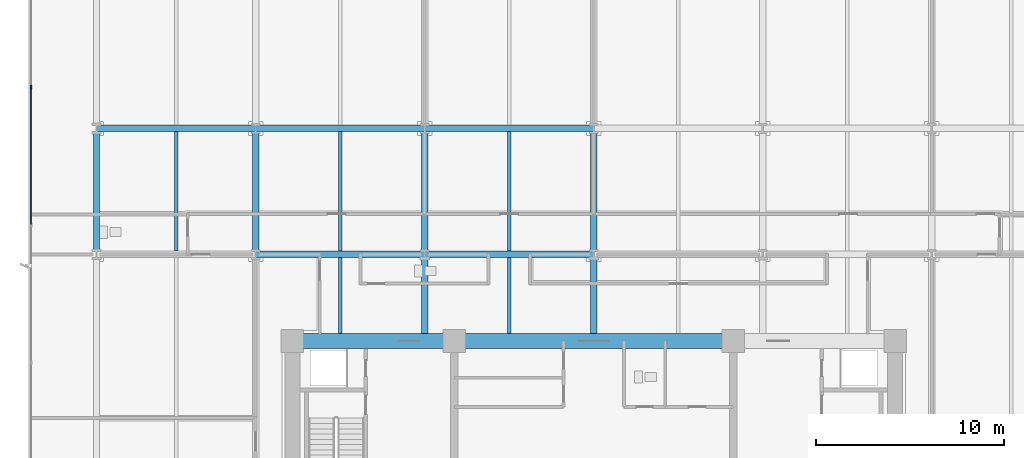
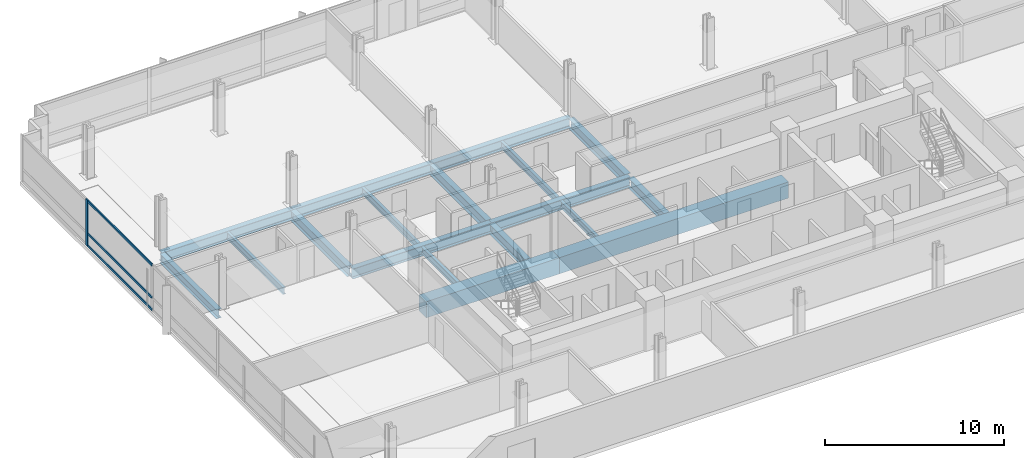
# One storey, part 3 of 14: 18 beams, 4 members, 1 element without a shape of its own.
"""IFC4 building model written with IfcOpenShell, lengths in metres."""

import ifcopenshell
import ifcopenshell.guid

model = None  # the IFC model being written
_history = None  # IfcOwnerHistory: only IFC2X3 demands one
_inside = {}  # id of a spatial element -> (the spatial element, [elements in it])
_under = {}  # id of a project, library or spatial element -> (it, [spatial elements below it])
_declared = {}  # id of a project -> (the project, [libraries it declares])
_typed = {}  # id of a type object -> (the type object, [elements of that type])
_made_of = {}  # id of a material, layer set ... -> (it, [elements and type objects made of it])


def new_model(schema):
    """Start an empty IFC model of exactly this schema.

    Asked for "IFC4X3", IfcOpenShell would pick the latest addendum, in which some entities
    have other attributes; the version numbers below select the first issue.
    IFC2X3 requires an IfcOwnerHistory on every rooted entity: one is made here for all.
    """
    global model, _history
    if schema == "IFC4X3":
        model = ifcopenshell.file(schema_version=(4, 3, 0, 0))
    else:
        model = ifcopenshell.file(schema=schema)
    _inside.clear()
    _under.clear()
    _declared.clear()
    _typed.clear()
    _made_of.clear()
    _history = None
    if model.schema == "IFC2X3":
        org = make("IfcOrganization", Name="unknown")
        user = make(
            "IfcPersonAndOrganization",
            ThePerson=make("IfcPerson", FamilyName="unknown"),
            TheOrganization=org,
        )
        app = make(
            "IfcApplication",
            ApplicationDeveloper=org,
            Version="unknown",
            ApplicationFullName="unknown",
            ApplicationIdentifier="unknown",
        )
        _history = make(
            "IfcOwnerHistory",
            OwningUser=user,
            OwningApplication=app,
            ChangeAction="ADDED",
            CreationDate=0,
        )
    return model


def make(cls, **values):
    """One entity of the class cls with the attributes given. An attribute that is None is left unset."""
    return model.create_entity(
        cls, **{name: value for name, value in values.items() if value is not None}
    )


def rooted(cls, **values):
    """An entity with a GlobalId (a new one), such as an element, a storey or a relation."""
    return make(cls, GlobalId=ifcopenshell.guid.new(), OwnerHistory=_history, **values)


def si_unit(unit_type, name, prefix=None):
    """IfcSIUnit, for example si_unit("LENGTHUNIT", "METRE", prefix="MILLI")."""
    return make("IfcSIUnit", UnitType=unit_type, Prefix=prefix, Name=name)


def assignment(units):
    """IfcUnitAssignment: the units of a project."""
    return None if units is None else make("IfcUnitAssignment", Units=units)


def point(xyz):
    """IfcCartesianPoint."""
    return None if xyz is None else make("IfcCartesianPoint", Coordinates=xyz)


def direction(xyz):
    """IfcDirection."""
    return None if xyz is None else make("IfcDirection", DirectionRatios=xyz)


def frame(location, z_axis=None, x_axis=None):
    """IfcAxis2Placement3D, a coordinate frame: its origin and axes. An axis left out is left unset."""
    return make(
        "IfcAxis2Placement3D",
        Location=point(location),
        Axis=direction(z_axis),
        RefDirection=direction(x_axis),
    )


def frame_2d(location, x_axis=None):
    """IfcAxis2Placement2D, a coordinate frame in the plane: its origin and x axis."""
    return make(
        "IfcAxis2Placement2D", Location=point(location), RefDirection=direction(x_axis)
    )


def origin():
    """The frame at (0, 0, 0) with its axes left unset."""
    return frame((0.0, 0.0, 0.0))


def origin_2d():
    """The frame at (0, 0) in the plane with its x axis left unset."""
    return frame_2d((0.0, 0.0))


def place(relative_to, where):
    """IfcLocalPlacement: puts the frame where relative to a parent placement (None: the world)."""
    return make(
        "IfcLocalPlacement", PlacementRelTo=relative_to, RelativePlacement=where
    )


def context(
    kind, dimensions, precision=None, world=None, true_north=None, identifier=None
):
    """IfcGeometricRepresentationContext, for example the 3D "Model" context."""
    return make(
        "IfcGeometricRepresentationContext",
        ContextIdentifier=identifier,
        ContextType=kind,
        CoordinateSpaceDimension=dimensions,
        Precision=precision,
        WorldCoordinateSystem=world,
        TrueNorth=true_north,
    )


def subcontext(parent, identifier, kind, view, scale=None):
    """IfcGeometricRepresentationSubContext, for example "Body" below "Model"."""
    return make(
        "IfcGeometricRepresentationSubContext",
        ContextIdentifier=identifier,
        ContextType=kind,
        ParentContext=parent,
        TargetScale=scale,
        TargetView=view,
    )


def project(units=None, contexts=None):
    """IfcProject with its units and contexts."""
    return rooted(
        "IfcProject",
        Name="project",
        RepresentationContexts=contexts,
        UnitsInContext=assignment(units),
    )


def spatial(cls, under=None, at=None, **own):
    """A site, building, storey or space (cls), placed at a placement, below another one or the project."""
    s = rooted(cls, ObjectPlacement=at, **own)
    if under is not None:
        _under.setdefault(under.id(), (under, []))[1].append(s)
    return s


def profile(cls, at=None, kind="AREA", **sizes):
    """A parametric profile (cls). Its sizes go by their IFC names, for example OverallWidth=200.0."""
    return make(cls, ProfileType=kind, Position=at, **sizes)


def rectangle(**sizes):
    """IfcRectangleProfileDef."""
    return profile("IfcRectangleProfileDef", **sizes)


def i_section(**sizes):
    """IfcIShapeProfileDef."""
    return profile("IfcIShapeProfileDef", **sizes)


def extrude(swept, where, along, depth):
    """IfcExtrudedAreaSolid: the profile swept, set in the frame where, extruded along a direction by depth."""
    return make(
        "IfcExtrudedAreaSolid",
        SweptArea=swept,
        Position=where,
        ExtrudedDirection=direction(along),
        Depth=depth,
    )


def shape(context_of_items, identifier, shape_type, items):
    """IfcShapeRepresentation: the items that make up one representation, for example the "Body"."""
    return make(
        "IfcShapeRepresentation",
        ContextOfItems=context_of_items,
        RepresentationIdentifier=identifier,
        RepresentationType=shape_type,
        Items=items,
    )


def material(Name=None, Category=None):
    """IfcMaterial."""
    return make("IfcMaterial", Name=Name, Category=Category)


def material_profile(
    of_material, cross_section, Name=None, Category=None, Priority=None
):
    """IfcMaterialProfile: a cross section and its material."""
    return make(
        "IfcMaterialProfile",
        Name=Name,
        Material=of_material,
        Profile=cross_section,
        Priority=Priority,
        Category=Category,
    )


def profile_set(profiles, Name=None, composite=None):
    """IfcMaterialProfileSet."""
    return make(
        "IfcMaterialProfileSet",
        Name=Name,
        MaterialProfiles=profiles,
        CompositeProfile=composite,
    )


def made_of(thing, what):
    """Note that an element or type object is made of a material, layer set ...; save() writes the relation."""
    if what is not None:
        _made_of.setdefault(what.id(), (what, []))[1].append(thing)
    return thing


def type_object(cls, material=None, **own):
    """A type object (cls), such as IfcWallType, which elements share."""
    return made_of(rooted(cls, **own), material)


def element(
    cls,
    number,
    at=None,
    inside=None,
    cuts=None,
    type_object=None,
    material=None,
    context=None,
    identifier="Body",
    shape_type=None,
    held_by="IfcProductDefinitionShape",
    body=None,
    shapes=None,
    **own,
):
    """One element of the class cls, such as IfcWall. Its Tag is "e" and its number.

    at: its placement. inside: the storey or other place that contains it. cuts: it is an
    opening in that element (IfcRelVoidsElement). A single representation is given by context,
    identifier, shape_type and body (its items); several are given by shapes. held_by: the class
    of the entity that holds the representations. save() writes the other relations.
    """
    e = rooted(cls, Tag="e%d" % number, ObjectPlacement=at, **own)
    if body is not None:
        shapes = [shape(context, identifier, shape_type, body)]
    if shapes is not None:
        e.Representation = make(held_by, Representations=shapes)
    if inside is not None:
        _inside.setdefault(inside.id(), (inside, []))[1].append(e)
    if cuts is not None:
        rooted(
            "IfcRelVoidsElement", RelatingBuildingElement=cuts, RelatedOpeningElement=e
        )
    if type_object is not None:
        _typed.setdefault(type_object.id(), (type_object, []))[1].append(e)
    return made_of(e, material)


def aggregate(whole, parts):
    """IfcRelAggregates: a whole, such as a stair, and the parts it consists of."""
    return rooted("IfcRelAggregates", RelatingObject=whole, RelatedObjects=parts)


def save(model, path):
    """Write the relations noted so far, then the file.

    IfcRelAggregates (storeys below a building ...), IfcRelContainedInSpatialStructure (elements
    in a storey), IfcRelDefinesByType, IfcRelAssociatesMaterial and IfcRelDeclares: one each for
    every whole, place, type object, material and project.
    """
    for whole, parts in _under.values():
        aggregate(whole, parts)
    for where, things in _inside.values():
        rooted(
            "IfcRelContainedInSpatialStructure",
            RelatedElements=things,
            RelatingStructure=where,
        )
    for kind, things in _typed.values():
        rooted("IfcRelDefinesByType", RelatedObjects=things, RelatingType=kind)
    for what, things in _made_of.values():
        rooted("IfcRelAssociatesMaterial", RelatedObjects=things, RelatingMaterial=what)
    for by, libraries in _declared.values():
        rooted("IfcRelDeclares", RelatingContext=by, RelatedDefinitions=libraries)
    model.write(path)


model = new_model("IFC4")

# Units and contexts
model_context = context("Model", 3, precision=1e-05, world=origin(), true_north=direction((0.0, 1.0)))
body_context = subcontext(model_context, "Body", "Model", "MODEL_VIEW")
ifc_project = project(units=[si_unit("LENGTHUNIT", "METRE"), si_unit("AREAUNIT", "SQUARE_METRE"), si_unit("VOLUMEUNIT", "CUBIC_METRE"), si_unit("PLANEANGLEUNIT", "RADIAN"), si_unit("MASSUNIT", "GRAM", prefix="KILO")], contexts=[model_context])

# Site, building, storey
site_placement = place(None, origin())
site = spatial("IfcSite", under=ifc_project, at=site_placement, CompositionType="ELEMENT")
building_placement = place(site_placement, origin())
building = spatial("IfcBuilding", under=site, at=building_placement, Name="Solmavex Isthmus Hotel", CompositionType="ELEMENT")
storey_placement = place(building_placement, frame((0.0, 0.0, 50.550048828125)))
storey = spatial("IfcBuildingStorey", under=building, at=storey_placement, Name="L13", CompositionType="ELEMENT", Elevation=50.550048828125)

# Beams
ifc_material_1 = material(Name="Steel ASTM A992 Grade 50", Category="steel")
ifc_material_profile_1 = material_profile(ifc_material_1, i_section(OverallWidth=0.354736328125, OverallDepth=0.695556640625, WebThickness=0.015380859375, FlangeThickness=0.02490234375, FilletRadius=0.017822265625, at=origin_2d()), Name="W27X146")
ifc_profile_set_1 = profile_set([ifc_material_profile_1], Name="Steel ASTM A992 Grade 50")
beam_type_1 = type_object("IfcBeamType", Name="BM-BG-W27X146", PredefinedType="BEAM", material=ifc_profile_set_1)
beam_1_placement = place(storey_placement, frame((-17.951904296875, 2.10009765625, -0.60791015625), z_axis=(1.0, 0.0, 0.0), x_axis=(0.0, 1.0, 0.0)))
element("IfcBeam", 1, at=beam_1_placement, inside=storey, type_object=beam_type_1, Name="Floor Girder L13-UG08", PredefinedType="BEAM", context=body_context, shape_type="SweptSolid", body=[
    extrude(i_section(OverallWidth=0.354736328125, OverallDepth=0.695556640625, WebThickness=0.015380859375, FlangeThickness=0.02490234375, FilletRadius=0.017822265625, at=origin_2d()), origin(), (0.0, 0.0, 1.0), 8.975830078125),
])
beam_2_placement = place(storey_placement, frame((-8.97607421875, 2.10009765625, -0.60791015625), z_axis=(1.0, 0.0, 0.0), x_axis=(0.0, 1.0, 0.0)))
element("IfcBeam", 2, at=beam_2_placement, inside=storey, type_object=beam_type_1, Name="Floor Girder L13-UG09", PredefinedType="BEAM", context=body_context, shape_type="SweptSolid", body=[
    extrude(i_section(OverallWidth=0.354736328125, OverallDepth=0.695556640625, WebThickness=0.015380859375, FlangeThickness=0.02490234375, FilletRadius=0.017822265625, at=origin_2d()), origin(), (0.0, 0.0, 1.0), 8.97607421875),
])
beam_3_placement = place(storey_placement, frame((-26.39990234375, 8.7880859375, -0.60791015625), z_axis=(1.0, 0.0, 0.0), x_axis=(0.0, 1.0, 0.0)))
element("IfcBeam", 3, at=beam_3_placement, inside=storey, type_object=beam_type_1, Name="Floor Girder L13-UG13", PredefinedType="BEAM", context=body_context, shape_type="SweptSolid", body=[
    extrude(i_section(OverallWidth=0.354736328125, OverallDepth=0.695556640625, WebThickness=0.015380859375, FlangeThickness=0.02490234375, FilletRadius=0.017822265625, at=origin_2d()), origin(), (0.0, 0.0, 1.0), 8.447998046875),
])
beam_4_placement = place(storey_placement, frame((-17.951904296875, 8.7880859375, -0.60791015625), z_axis=(1.0, 0.0, 0.0), x_axis=(0.0, 1.0, 0.0)))
element("IfcBeam", 4, at=beam_4_placement, inside=storey, type_object=beam_type_1, Name="Floor Girder L13-UG14", PredefinedType="BEAM", context=body_context, shape_type="SweptSolid", body=[
    extrude(i_section(OverallWidth=0.354736328125, OverallDepth=0.695556640625, WebThickness=0.015380859375, FlangeThickness=0.02490234375, FilletRadius=0.017822265625, at=origin_2d()), origin(), (0.0, 0.0, 1.0), 8.975830078125),
])
beam_5_placement = place(storey_placement, frame((-8.97607421875, 8.7880859375, -0.60791015625), z_axis=(1.0, 0.0, 0.0), x_axis=(0.0, 1.0, 0.0)))
element("IfcBeam", 5, at=beam_5_placement, inside=storey, type_object=beam_type_1, Name="Floor Girder L13-UG15", PredefinedType="BEAM", context=body_context, shape_type="SweptSolid", body=[
    extrude(i_section(OverallWidth=0.354736328125, OverallDepth=0.695556640625, WebThickness=0.015380859375, FlangeThickness=0.02490234375, FilletRadius=0.017822265625, at=origin_2d()), origin(), (0.0, 0.0, 1.0), 8.97607421875),
])
beam_6_placement = place(storey_placement, frame((-17.951904296875, 2.27734375, -0.60791015625), z_axis=(0.0, 1.0, 0.0), x_axis=(-1.0, 0.0, 0.0)))
element("IfcBeam", 6, at=beam_6_placement, inside=storey, type_object=beam_type_1, Name="Floor Beam L13-VG29", PredefinedType="BEAM", context=body_context, shape_type="SweptSolid", body=[
    extrude(i_section(OverallWidth=0.354736328125, OverallDepth=0.695556640625, WebThickness=0.015380859375, FlangeThickness=0.02490234375, FilletRadius=0.017822265625, at=origin_2d()), origin(), (0.0, 0.0, 1.0), 6.333251953125),
])
beam_7_placement = place(storey_placement, frame((-8.97607421875, -2.10009765625, -0.60791015625), z_axis=(0.0, 1.0, 0.0), x_axis=(-1.0, 0.0, 0.0)))
element("IfcBeam", 7, at=beam_7_placement, inside=storey, type_object=beam_type_1, Name="Floor Beam L13-VG32", PredefinedType="BEAM", context=body_context, shape_type="SweptSolid", body=[
    extrude(i_section(OverallWidth=0.354736328125, OverallDepth=0.695556640625, WebThickness=0.015380859375, FlangeThickness=0.02490234375, FilletRadius=0.017822265625, at=origin_2d()), origin(), (0.0, 0.0, 1.0), 4.022705078125),
])
beam_8_placement = place(storey_placement, frame((-8.97607421875, 2.27734375, -0.60791015625), z_axis=(0.0, 1.0, 0.0), x_axis=(-1.0, 0.0, 0.0)))
element("IfcBeam", 8, at=beam_8_placement, inside=storey, type_object=beam_type_1, Name="Floor Beam L13-VG33", PredefinedType="BEAM", context=body_context, shape_type="SweptSolid", body=[
    extrude(i_section(OverallWidth=0.354736328125, OverallDepth=0.695556640625, WebThickness=0.015380859375, FlangeThickness=0.02490234375, FilletRadius=0.017822265625, at=origin_2d()), origin(), (0.0, 0.0, 1.0), 6.333251953125),
])
beam_9_placement = place(storey_placement, frame((0.0, -2.10009765625, -0.60791015625), z_axis=(0.0, 1.0, 0.0), x_axis=(-1.0, 0.0, 0.0)))
element("IfcBeam", 9, at=beam_9_placement, inside=storey, type_object=beam_type_1, Name="Floor Beam L13-VG36", PredefinedType="BEAM", context=body_context, shape_type="SweptSolid", body=[
    extrude(i_section(OverallWidth=0.354736328125, OverallDepth=0.695556640625, WebThickness=0.015380859375, FlangeThickness=0.02490234375, FilletRadius=0.017822265625, at=origin_2d()), origin(), (0.0, 0.0, 1.0), 4.022705078125),
])
beam_10_placement = place(storey_placement, frame((0.0, 2.27734375, -0.60791015625), z_axis=(0.0, 1.0, 0.0), x_axis=(-1.0, 0.0, 0.0)))
element("IfcBeam", 10, at=beam_10_placement, inside=storey, type_object=beam_type_1, Name="Floor Beam L13-VG37", PredefinedType="BEAM", context=body_context, shape_type="SweptSolid", body=[
    extrude(i_section(OverallWidth=0.354736328125, OverallDepth=0.695556640625, WebThickness=0.015380859375, FlangeThickness=0.02490234375, FilletRadius=0.017822265625, at=origin_2d()), origin(), (0.0, 0.0, 1.0), 6.333251953125),
])
ifc_material_profile_2 = material_profile(ifc_material_1, i_section(OverallWidth=0.1904296875, OverallDepth=0.456787109375, WebThickness=0.009033203125, FlangeThickness=0.014404296875, FilletRadius=0.0126953125, at=origin_2d()), Name="W18X50")
ifc_profile_set_2 = profile_set([ifc_material_profile_2], Name="Steel ASTM A992 Grade 50")
beam_type_2 = type_object("IfcBeamType", Name="BM-BJ-W18X50", PredefinedType="JOIST", material=ifc_profile_set_2)
beam_11_placement = place(storey_placement, frame((-22.176025390625, 2.27734375, -0.488525390625), z_axis=(0.0, 1.0, 0.0), x_axis=(-1.0, 0.0, 0.0)))
element("IfcBeam", 11, at=beam_11_placement, inside=storey, type_object=beam_type_2, Name="Secondary Floor Joist L13-J02", PredefinedType="JOIST", context=body_context, shape_type="SweptSolid", body=[
    extrude(i_section(OverallWidth=0.1904296875, OverallDepth=0.456787109375, WebThickness=0.009033203125, FlangeThickness=0.014404296875, FilletRadius=0.0126953125, at=origin_2d()), origin(), (0.0, 0.0, 1.0), 6.333251953125),
])
beam_12_placement = place(storey_placement, frame((-13.464111328125, -2.10009765625, -0.488525390625), z_axis=(0.0, 1.0, 0.0), x_axis=(-1.0, 0.0, 0.0)))
element("IfcBeam", 12, at=beam_12_placement, inside=storey, type_object=beam_type_2, Name="Secondary Floor Joist L13-J05", PredefinedType="JOIST", context=body_context, shape_type="SweptSolid", body=[
    extrude(i_section(OverallWidth=0.1904296875, OverallDepth=0.456787109375, WebThickness=0.009033203125, FlangeThickness=0.014404296875, FilletRadius=0.0126953125, at=origin_2d()), origin(), (0.0, 0.0, 1.0), 4.022705078125),
])
beam_13_placement = place(storey_placement, frame((-13.464111328125, 2.27734375, -0.488525390625), z_axis=(0.0, 1.0, 0.0), x_axis=(-1.0, 0.0, 0.0)))
element("IfcBeam", 13, at=beam_13_placement, inside=storey, type_object=beam_type_2, Name="Secondary Floor Joist L13-J06", PredefinedType="JOIST", context=body_context, shape_type="SweptSolid", body=[
    extrude(i_section(OverallWidth=0.1904296875, OverallDepth=0.456787109375, WebThickness=0.009033203125, FlangeThickness=0.014404296875, FilletRadius=0.0126953125, at=origin_2d()), origin(), (0.0, 0.0, 1.0), 6.333251953125),
])
beam_14_placement = place(storey_placement, frame((-4.488037109375, -2.10009765625, -0.488525390625), z_axis=(0.0, 1.0, 0.0), x_axis=(-1.0, 0.0, 0.0)))
element("IfcBeam", 14, at=beam_14_placement, inside=storey, type_object=beam_type_2, Name="Secondary Floor Joist L13-J09", PredefinedType="JOIST", context=body_context, shape_type="SweptSolid", body=[
    extrude(i_section(OverallWidth=0.1904296875, OverallDepth=0.456787109375, WebThickness=0.009033203125, FlangeThickness=0.014404296875, FilletRadius=0.0126953125, at=origin_2d()), origin(), (0.0, 0.0, 1.0), 4.022705078125),
])
beam_15_placement = place(storey_placement, frame((-4.488037109375, 2.27734375, -0.488525390625), z_axis=(0.0, 1.0, 0.0), x_axis=(-1.0, 0.0, 0.0)))
element("IfcBeam", 15, at=beam_15_placement, inside=storey, type_object=beam_type_2, Name="Secondary Floor Joist L13-J10", PredefinedType="JOIST", context=body_context, shape_type="SweptSolid", body=[
    extrude(i_section(OverallWidth=0.1904296875, OverallDepth=0.456787109375, WebThickness=0.009033203125, FlangeThickness=0.014404296875, FilletRadius=0.0126953125, at=origin_2d()), origin(), (0.0, 0.0, 1.0), 6.333251953125),
])
ifc_material_2 = material(Name="Concrete C70/85", Category="concrete")
ifc_material_profile_3 = material_profile(ifc_material_2, rectangle(XDim=0.800048828125, YDim=1.10009765625, at=origin_2d()), Name="RC800X1100")
ifc_profile_set_3 = profile_set([ifc_material_profile_3], Name="Concrete C70/85")
beam_type_3 = type_object("IfcBeamType", Name="BM-CB-800X1100", PredefinedType="BEAM", material=ifc_profile_set_3)
beam_16_placement = place(storey_placement, frame((-16.0, -2.5, -0.81005859375), z_axis=(1.0, 0.0, 0.0), x_axis=(0.0, 1.0, 0.0)))
element("IfcBeam", 16, at=beam_16_placement, inside=storey, type_object=beam_type_3, Name="Core Coupling Beam L13-CB4", PredefinedType="BEAM", context=body_context, shape_type="SweptSolid", body=[
    extrude(rectangle(XDim=0.800048828125, YDim=1.10009765625, at=origin_2d()), origin(), (0.0, 0.0, 1.0), 8.60009765625),
])
beam_17_placement = place(storey_placement, frame((-7.39990234375, -2.5, -0.81005859375), z_axis=(1.0, 0.0, 0.0), x_axis=(0.0, 1.0, 0.0)))
element("IfcBeam", 17, at=beam_17_placement, inside=storey, type_object=beam_type_3, Name="Core Coupling Beam L13-CB5", PredefinedType="BEAM", context=body_context, shape_type="SweptSolid", body=[
    extrude(rectangle(XDim=0.800048828125, YDim=1.10009765625, at=origin_2d()), origin(), (0.0, 0.0, 1.0), 14.7998046875),
])
ifc_material_profile_4 = material_profile(ifc_material_1, i_section(OverallWidth=0.326416015625, OverallDepth=0.621826171875, WebThickness=0.015380859375, FlangeThickness=0.0244140625, FilletRadius=0.01513671875, at=origin_2d()), Name="W24X131")
ifc_profile_set_4 = profile_set([ifc_material_profile_4], Name="Steel ASTM A992 Grade 50")
beam_type_4 = type_object("IfcBeamType", Name="BM-SP-W24X131", PredefinedType="SPANDREL", material=ifc_profile_set_4)
beam_18_placement = place(storey_placement, frame((-26.39990234375, 2.27734375, -0.571044921875), z_axis=(0.0, 1.0, 0.0), x_axis=(-1.0, 0.0, 0.0)))
element("IfcBeam", 18, at=beam_18_placement, inside=storey, type_object=beam_type_4, Name="Floor Beam L13-VG26", PredefinedType="SPANDREL", context=body_context, shape_type="SweptSolid", body=[
    extrude(i_section(OverallWidth=0.326416015625, OverallDepth=0.621826171875, WebThickness=0.015380859375, FlangeThickness=0.0244140625, FilletRadius=0.01513671875, at=origin_2d()), origin(), (0.0, 0.0, 1.0), 6.333251953125),
])

# Curtain wall, members
ifc_material_3 = material(Name="Aluminium alloy 6063-T6", Category="aluminium")
curtain_wall_type = type_object("IfcCurtainWallType", Name="CW-SYS-02", PredefinedType="NOTDEFINED", material=ifc_material_3)
curtain_wall_placement = place(storey_placement, origin())
curtain_wall = element("IfcCurtainWall", 19, at=curtain_wall_placement, inside=storey, type_object=curtain_wall_type, Name="Stick Curtain Wall CWL-L13-W1", PredefinedType="NOTDEFINED")
ifc_material_profile_5 = material_profile(ifc_material_3, rectangle(XDim=0.074951171875, YDim=0.219970703125, at=origin_2d()), Name="CWM-75X220")
ifc_profile_set_5 = profile_set([ifc_material_profile_5], Name="Aluminium alloy 6063-T6")
member_type_1 = type_object("IfcMemberType", Name="CW-SYS-02-MUL", PredefinedType="MULLION", material=ifc_profile_set_5)
member_1_placement = place(storey_placement, frame((-29.8798828125, 10.97998046875, 0.0), z_axis=(0.0, 0.0, 1.0), x_axis=(-1.0, 0.0, 0.0)))
member_1 = element("IfcMember", 20, at=member_1_placement, type_object=member_type_1, Name="CW-02 mullion 5", PredefinedType="MULLION", context=body_context, shape_type="SweptSolid", body=[
    extrude(rectangle(XDim=0.074951171875, YDim=0.219970703125, at=origin_2d()), origin(), (0.0, 0.0, 1.0), 3.18994140625),
])
ifc_material_profile_6 = material_profile(ifc_material_3, rectangle(XDim=0.074951171875, YDim=0.159912109375, at=origin_2d()), Name="CWT-75X160")
ifc_profile_set_6 = profile_set([ifc_material_profile_6], Name="Aluminium alloy 6063-T6")
member_type_2 = type_object("IfcMemberType", Name="CW-SYS-02-TRN", PredefinedType="USERDEFINED", material=ifc_profile_set_6)
member_2_placement = place(storey_placement, frame((-29.8798828125, 3.697509765625, 0.079833984375), z_axis=(0.0, 1.0, 0.0), x_axis=(-1.0, 0.0, 0.0)))
member_2 = element("IfcMember", 21, at=member_2_placement, type_object=member_type_2, Name="CW-02 transom 4.1", ObjectType="TRANSOM", PredefinedType="USERDEFINED", context=body_context, shape_type="SweptSolid", body=[
    extrude(rectangle(XDim=0.074951171875, YDim=0.159912109375, at=origin_2d()), origin(), (0.0, 0.0, 1.0), 7.244873046875),
])
member_3_placement = place(storey_placement, frame((-29.8798828125, 3.697509765625, 0.89990234375), z_axis=(0.0, 1.0, 0.0), x_axis=(-1.0, 0.0, 0.0)))
member_3 = element("IfcMember", 22, at=member_3_placement, type_object=member_type_2, Name="CW-02 transom 4.2", ObjectType="TRANSOM", PredefinedType="USERDEFINED", context=body_context, shape_type="SweptSolid", body=[
    extrude(rectangle(XDim=0.074951171875, YDim=0.159912109375, at=origin_2d()), origin(), (0.0, 0.0, 1.0), 7.244873046875),
])
member_4_placement = place(storey_placement, frame((-29.8798828125, 3.697509765625, 3.10986328125), z_axis=(0.0, 1.0, 0.0), x_axis=(-1.0, 0.0, 0.0)))
member_4 = element("IfcMember", 23, at=member_4_placement, type_object=member_type_2, Name="CW-02 transom 4.3", ObjectType="TRANSOM", PredefinedType="USERDEFINED", context=body_context, shape_type="SweptSolid", body=[
    extrude(rectangle(XDim=0.074951171875, YDim=0.159912109375, at=origin_2d()), origin(), (0.0, 0.0, 1.0), 7.244873046875),
])
aggregate(curtain_wall, [member_1, member_2, member_3, member_4])

save(model, "model.ifc")
